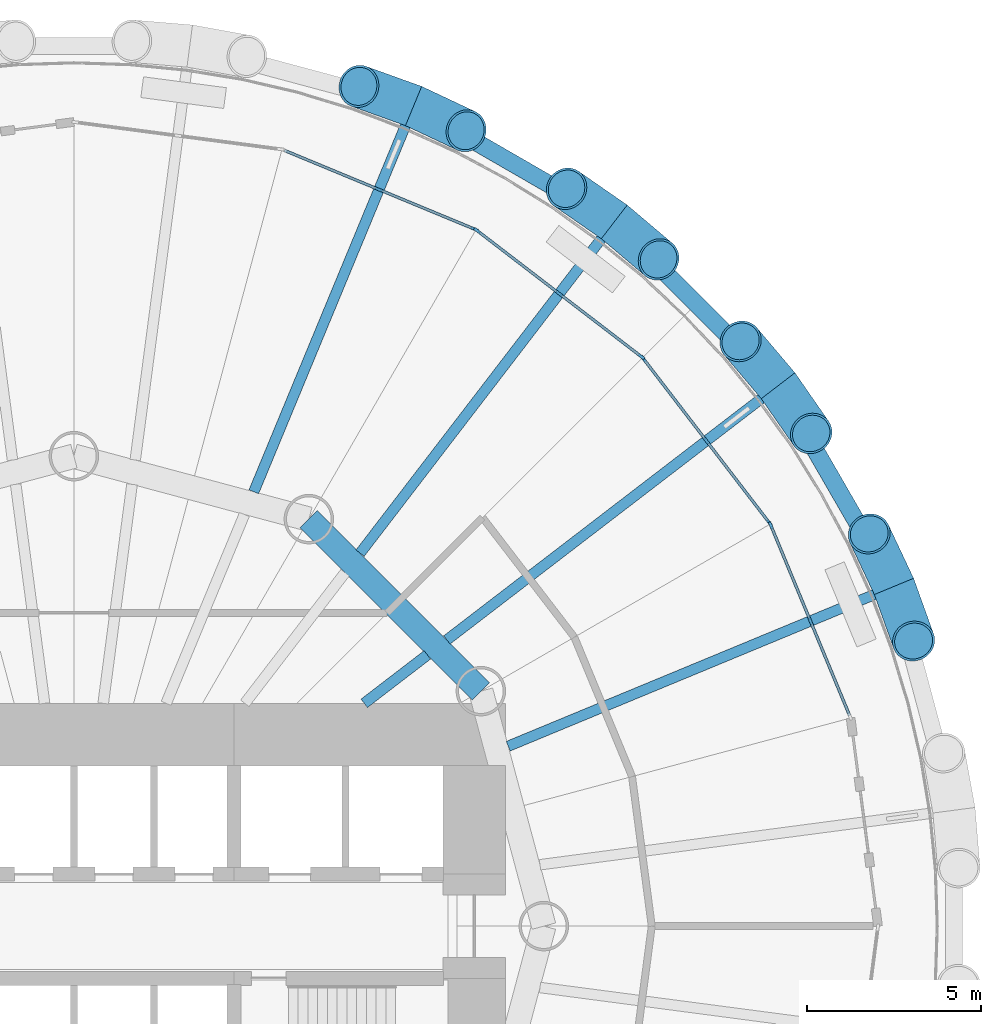
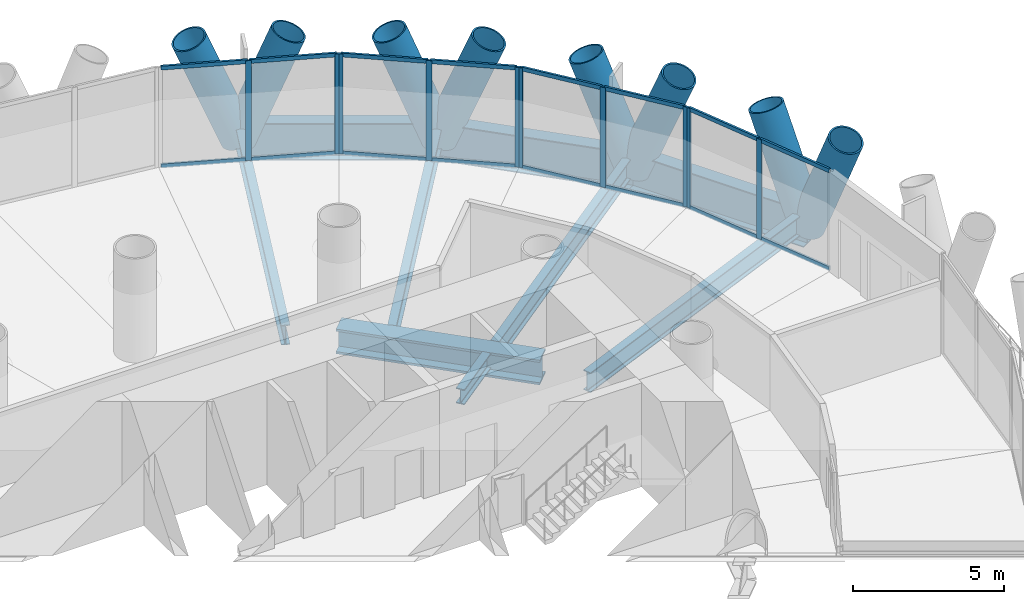
# One storey, part 6 of 14: 34 members, 9 beams, 4 elements without a shape of their own.
"""IFC4 building model written with IfcOpenShell, lengths in metres."""

from ifc_helpers import new_model, si_unit, direction, frame, origin, origin_2d, place, context, subcontext, project, spatial, rectangle, hollow_circle, i_section, extrude, material, material_profile, profile_set, type_object, element, aggregate, save


model = new_model("IFC4")

# Units and contexts
model_context = context("Model", 3, precision=1e-05, world=origin(), true_north=direction((0.0, 1.0)))
body_context = subcontext(model_context, "Body", "Model", "MODEL_VIEW")
ifc_project = project(units=[si_unit("LENGTHUNIT", "METRE"), si_unit("AREAUNIT", "SQUARE_METRE"), si_unit("VOLUMEUNIT", "CUBIC_METRE"), si_unit("PLANEANGLEUNIT", "RADIAN"), si_unit("MASSUNIT", "GRAM", prefix="KILO")], contexts=[model_context])

# Site, building, storey
site_placement = place(None, origin())
site = spatial("IfcSite", under=ifc_project, at=site_placement, CompositionType="ELEMENT")
building_placement = place(site_placement, origin())
building = spatial("IfcBuilding", under=site, at=building_placement, Name="Qaws Media Tower", CompositionType="ELEMENT")
storey_placement = place(building_placement, frame((0.0, 0.0, 84.800048828125)))
storey = spatial("IfcBuildingStorey", under=building, at=storey_placement, Name="L18", CompositionType="ELEMENT", Elevation=84.800048828125)

# Curtain wall, members
ifc_material_1 = material(Name="Aluminium and clear glass", Category="aluminium")
curtain_wall_type = type_object("IfcCurtainWallType", Name="Unitised curtain wall CW-A", PredefinedType="NOTDEFINED", material=ifc_material_1)
curtain_wall_1_placement = place(storey_placement, origin())
curtain_wall_1 = element("IfcCurtainWall", 1, at=curtain_wall_1_placement, inside=storey, type_object=curtain_wall_type, Name="CWA curtain wall L18-02", PredefinedType="NOTDEFINED")
ifc_material_2 = material(Name="Aluminium mullion", Category="aluminium")
ifc_material_profile_1 = material_profile(ifc_material_2, rectangle(XDim=0.080078125, YDim=0.199951171875, at=origin_2d()), Name="80x200")
ifc_profile_set_1 = profile_set([ifc_material_profile_1], Name="Aluminium mullion")
member_type_1 = type_object("IfcMemberType", Name="Curtain wall mullion 80x200", PredefinedType="MULLION", material=ifc_profile_set_1)
member_1_placement = place(storey_placement, frame((81.158935546875, 58.764404296875, 0.0), z_axis=(0.0, 0.0, 1.0), x_axis=(-0.923879517022, -0.382683469758, 0.0)))
member_1 = element("IfcMember", 2, at=member_1_placement, type_object=member_type_1, Name="CWA mullion 2", PredefinedType="MULLION", context=body_context, shape_type="SweptSolid", body=[
    extrude(rectangle(XDim=0.080078125, YDim=0.199951171875, at=origin_2d()), origin(), (0.0, 0.0, 1.0), 4.0400390625),
])
member_2_placement = place(storey_placement, frame((80.0205078125, 61.512939453125, 0.0), z_axis=(0.0, 0.0, 1.0), x_axis=(-0.923879517022, -0.382683469758, 0.0)))
member_2 = element("IfcMember", 3, at=member_2_placement, type_object=member_type_1, Name="CWA mullion 3", PredefinedType="MULLION", context=body_context, shape_type="SweptSolid", body=[
    extrude(rectangle(XDim=0.080078125, YDim=0.199951171875, at=origin_2d()), origin(), (0.0, 0.0, 1.0), 4.0400390625),
])

curtain_wall_2_placement = place(storey_placement, origin())
curtain_wall_2 = element("IfcCurtainWall", 4, at=curtain_wall_2_placement, inside=storey, type_object=curtain_wall_type, Name="CWA curtain wall L18-03", PredefinedType="NOTDEFINED")
member_3_placement = place(storey_placement, frame((79.98095703125, 61.581787109375, 0.0), z_axis=(0.0, 0.0, 1.0), x_axis=(-0.79335337666, -0.608761381612, 0.0)))
member_3 = element("IfcMember", 5, at=member_3_placement, type_object=member_type_1, Name="CWA mullion 1", PredefinedType="MULLION", context=body_context, shape_type="SweptSolid", body=[
    extrude(rectangle(XDim=0.080078125, YDim=0.199951171875, at=origin_2d()), origin(), (0.0, 0.0, 1.0), 4.0400390625),
])
member_4_placement = place(storey_placement, frame((78.169677734375, 63.942138671875, 0.0), z_axis=(0.0, 0.0, 1.0), x_axis=(-0.79335337666, -0.608761381612, 0.0)))
member_4 = element("IfcMember", 6, at=member_4_placement, type_object=member_type_1, Name="CWA mullion 2", PredefinedType="MULLION", context=body_context, shape_type="SweptSolid", body=[
    extrude(rectangle(XDim=0.080078125, YDim=0.199951171875, at=origin_2d()), origin(), (0.0, 0.0, 1.0), 4.0400390625),
])
member_5_placement = place(storey_placement, frame((76.3583984375, 66.302490234375, 0.0), z_axis=(0.0, 0.0, 1.0), x_axis=(-0.79335337666, -0.608761381612, 0.0)))
member_5 = element("IfcMember", 7, at=member_5_placement, type_object=member_type_1, Name="CWA mullion 3", PredefinedType="MULLION", context=body_context, shape_type="SweptSolid", body=[
    extrude(rectangle(XDim=0.080078125, YDim=0.199951171875, at=origin_2d()), origin(), (0.0, 0.0, 1.0), 4.0400390625),
])

curtain_wall_3_placement = place(storey_placement, origin())
curtain_wall_3 = element("IfcCurtainWall", 8, at=curtain_wall_3_placement, inside=storey, type_object=curtain_wall_type, Name="CWA curtain wall L18-04", PredefinedType="NOTDEFINED")
member_6_placement = place(storey_placement, frame((76.302490234375, 66.3583984375, 0.0), z_axis=(0.0, 0.0, 1.0), x_axis=(-0.608761381612, -0.79335337666, 0.0)))
member_6 = element("IfcMember", 9, at=member_6_placement, type_object=member_type_1, Name="CWA mullion 1", PredefinedType="MULLION", context=body_context, shape_type="SweptSolid", body=[
    extrude(rectangle(XDim=0.080078125, YDim=0.199951171875, at=origin_2d()), origin(), (0.0, 0.0, 1.0), 4.0400390625),
])
member_7_placement = place(storey_placement, frame((73.942138671875, 68.169677734375, 0.0), z_axis=(0.0, 0.0, 1.0), x_axis=(-0.608761381612, -0.79335337666, 0.0)))
member_7 = element("IfcMember", 10, at=member_7_placement, type_object=member_type_1, Name="CWA mullion 2", PredefinedType="MULLION", context=body_context, shape_type="SweptSolid", body=[
    extrude(rectangle(XDim=0.080078125, YDim=0.199951171875, at=origin_2d()), origin(), (0.0, 0.0, 1.0), 4.0400390625),
])
member_8_placement = place(storey_placement, frame((71.581787109375, 69.98095703125, 0.0), z_axis=(0.0, 0.0, 1.0), x_axis=(-0.608761381612, -0.79335337666, 0.0)))
member_8 = element("IfcMember", 11, at=member_8_placement, type_object=member_type_1, Name="CWA mullion 3", PredefinedType="MULLION", context=body_context, shape_type="SweptSolid", body=[
    extrude(rectangle(XDim=0.080078125, YDim=0.199951171875, at=origin_2d()), origin(), (0.0, 0.0, 1.0), 4.0400390625),
])

curtain_wall_4_placement = place(storey_placement, origin())
curtain_wall_4 = element("IfcCurtainWall", 12, at=curtain_wall_4_placement, inside=storey, type_object=curtain_wall_type, Name="CWA curtain wall L18-05", PredefinedType="NOTDEFINED")
member_9_placement = place(storey_placement, frame((71.512939453125, 70.0205078125, 0.0), z_axis=(0.0, 0.0, 1.0), x_axis=(-0.382683469758, -0.923879517022, 0.0)))
member_9 = element("IfcMember", 13, at=member_9_placement, type_object=member_type_1, Name="CWA mullion 1", PredefinedType="MULLION", context=body_context, shape_type="SweptSolid", body=[
    extrude(rectangle(XDim=0.080078125, YDim=0.199951171875, at=origin_2d()), origin(), (0.0, 0.0, 1.0), 4.0400390625),
])
member_10_placement = place(storey_placement, frame((68.764404296875, 71.158935546875, 0.0), z_axis=(0.0, 0.0, 1.0), x_axis=(-0.382683469758, -0.923879517022, 0.0)))
member_10 = element("IfcMember", 14, at=member_10_placement, type_object=member_type_1, Name="CWA mullion 2", PredefinedType="MULLION", context=body_context, shape_type="SweptSolid", body=[
    extrude(rectangle(XDim=0.080078125, YDim=0.199951171875, at=origin_2d()), origin(), (0.0, 0.0, 1.0), 4.0400390625),
])

# Member
ifc_material_3 = material(Name="Aluminium transom", Category="aluminium")
ifc_material_profile_2 = material_profile(ifc_material_3, rectangle(XDim=0.080078125, YDim=0.159912109375, at=origin_2d()), Name="80x160")
ifc_profile_set_2 = profile_set([ifc_material_profile_2], Name="Aluminium transom")
member_type_2 = type_object("IfcMemberType", Name="Curtain wall transom 80x160", PredefinedType="USERDEFINED", material=ifc_profile_set_2)
member_11_placement = place(storey_placement, frame((82.2822265625, 56.052734375, 0.0400390625), z_axis=(-0.382704337855, 0.923870872897, 0.0), x_axis=(-0.923870872897, -0.382704337855, 0.0)))
member_11 = element("IfcMember", 15, at=member_11_placement, type_object=member_type_2, Name="CWA transom 1.1", ObjectType="TRANSOM", PredefinedType="USERDEFINED", context=body_context, shape_type="SweptSolid", body=[
    extrude(rectangle(XDim=0.080078125, YDim=0.159912109375, at=origin_2d()), origin(), (0.0, 0.0, 1.0), 2.89501953125),
])

member_12_placement = place(storey_placement, frame((82.2822265625, 56.052734375, 4.0), z_axis=(-0.382704337855, 0.923870872897, 0.0), x_axis=(-0.923870872897, -0.382704337855, 0.0)))
member_12 = element("IfcMember", 16, at=member_12_placement, type_object=member_type_2, Name="CWA transom 1.2", ObjectType="TRANSOM", PredefinedType="USERDEFINED", context=body_context, shape_type="SweptSolid", body=[
    extrude(rectangle(XDim=0.080078125, YDim=0.159912109375, at=origin_2d()), origin(), (0.0, 0.0, 1.0), 2.89501953125),
])

member_13_placement = place(storey_placement, frame((81.143798828125, 58.80126953125, 0.0400390625), z_axis=(-0.382674522319, 0.923883223123, 0.0), x_axis=(-0.923883223123, -0.382674522319, 0.0)))
member_13 = element("IfcMember", 17, at=member_13_placement, type_object=member_type_2, Name="CWA transom 2.1", ObjectType="TRANSOM", PredefinedType="USERDEFINED", context=body_context, shape_type="SweptSolid", body=[
    extrude(rectangle(XDim=0.080078125, YDim=0.159912109375, at=origin_2d()), origin(), (0.0, 0.0, 1.0), 2.895263671875),
])

member_14_placement = place(storey_placement, frame((81.143798828125, 58.80126953125, 4.0), z_axis=(-0.382674522319, 0.923883223123, 0.0), x_axis=(-0.923883223123, -0.382674522319, 0.0)))
member_14 = element("IfcMember", 18, at=member_14_placement, type_object=member_type_2, Name="CWA transom 2.2", ObjectType="TRANSOM", PredefinedType="USERDEFINED", context=body_context, shape_type="SweptSolid", body=[
    extrude(rectangle(XDim=0.080078125, YDim=0.159912109375, at=origin_2d()), origin(), (0.0, 0.0, 1.0), 2.895263671875),
])

aggregate(curtain_wall_1, [member_1, member_2, member_11, member_12, member_13, member_14])

member_15_placement = place(storey_placement, frame((79.95654296875, 61.613525390625, 0.0400390625), z_axis=(-0.608760776012, 0.793353841353, 0.0), x_axis=(-0.793353841353, -0.608760776012, 0.0)))
member_15 = element("IfcMember", 19, at=member_15_placement, type_object=member_type_2, Name="CWA transom 1.1", ObjectType="TRANSOM", PredefinedType="USERDEFINED", context=body_context, shape_type="SweptSolid", body=[
    extrude(rectangle(XDim=0.080078125, YDim=0.159912109375, at=origin_2d()), origin(), (0.0, 0.0, 1.0), 2.895263671875),
])

member_16_placement = place(storey_placement, frame((79.95654296875, 61.613525390625, 4.0), z_axis=(-0.608760776012, 0.793353841353, 0.0), x_axis=(-0.793353841353, -0.608760776012, 0.0)))
member_16 = element("IfcMember", 20, at=member_16_placement, type_object=member_type_2, Name="CWA transom 1.2", ObjectType="TRANSOM", PredefinedType="USERDEFINED", context=body_context, shape_type="SweptSolid", body=[
    extrude(rectangle(XDim=0.080078125, YDim=0.159912109375, at=origin_2d()), origin(), (0.0, 0.0, 1.0), 2.895263671875),
])

member_17_placement = place(storey_placement, frame((78.145263671875, 63.973876953125, 0.0400390625), z_axis=(-0.608760776012, 0.793353841353, 0.0), x_axis=(-0.793353841353, -0.608760776012, 0.0)))
member_17 = element("IfcMember", 21, at=member_17_placement, type_object=member_type_2, Name="CWA transom 2.1", ObjectType="TRANSOM", PredefinedType="USERDEFINED", context=body_context, shape_type="SweptSolid", body=[
    extrude(rectangle(XDim=0.080078125, YDim=0.159912109375, at=origin_2d()), origin(), (0.0, 0.0, 1.0), 2.895263671875),
])

member_18_placement = place(storey_placement, frame((78.145263671875, 63.973876953125, 4.0), z_axis=(-0.608760776012, 0.793353841353, 0.0), x_axis=(-0.793353841353, -0.608760776012, 0.0)))
member_18 = element("IfcMember", 22, at=member_18_placement, type_object=member_type_2, Name="CWA transom 2.2", ObjectType="TRANSOM", PredefinedType="USERDEFINED", context=body_context, shape_type="SweptSolid", body=[
    extrude(rectangle(XDim=0.080078125, YDim=0.159912109375, at=origin_2d()), origin(), (0.0, 0.0, 1.0), 2.895263671875),
])

aggregate(curtain_wall_2, [member_3, member_4, member_5, member_15, member_16, member_17, member_18])

member_19_placement = place(storey_placement, frame((76.270751953125, 66.3828125, 0.0400390625), z_axis=(-0.793353841353, 0.608760776012, 0.0), x_axis=(-0.608760776012, -0.793353841353, 0.0)))
member_19 = element("IfcMember", 23, at=member_19_placement, type_object=member_type_2, Name="CWA transom 1.1", ObjectType="TRANSOM", PredefinedType="USERDEFINED", context=body_context, shape_type="SweptSolid", body=[
    extrude(rectangle(XDim=0.080078125, YDim=0.159912109375, at=origin_2d()), origin(), (0.0, 0.0, 1.0), 2.895263671875),
])

member_20_placement = place(storey_placement, frame((76.270751953125, 66.3828125, 4.0), z_axis=(-0.793353841353, 0.608760776012, 0.0), x_axis=(-0.608760776012, -0.793353841353, 0.0)))
member_20 = element("IfcMember", 24, at=member_20_placement, type_object=member_type_2, Name="CWA transom 1.2", ObjectType="TRANSOM", PredefinedType="USERDEFINED", context=body_context, shape_type="SweptSolid", body=[
    extrude(rectangle(XDim=0.080078125, YDim=0.159912109375, at=origin_2d()), origin(), (0.0, 0.0, 1.0), 2.895263671875),
])

member_21_placement = place(storey_placement, frame((73.910400390625, 68.194091796875, 0.0400390625), z_axis=(-0.793353841353, 0.608760776012, 0.0), x_axis=(-0.608760776012, -0.793353841353, 0.0)))
member_21 = element("IfcMember", 25, at=member_21_placement, type_object=member_type_2, Name="CWA transom 2.1", ObjectType="TRANSOM", PredefinedType="USERDEFINED", context=body_context, shape_type="SweptSolid", body=[
    extrude(rectangle(XDim=0.080078125, YDim=0.159912109375, at=origin_2d()), origin(), (0.0, 0.0, 1.0), 2.895263671875),
])

member_22_placement = place(storey_placement, frame((73.910400390625, 68.194091796875, 4.0), z_axis=(-0.793353841353, 0.608760776012, 0.0), x_axis=(-0.608760776012, -0.793353841353, 0.0)))
member_22 = element("IfcMember", 26, at=member_22_placement, type_object=member_type_2, Name="CWA transom 2.2", ObjectType="TRANSOM", PredefinedType="USERDEFINED", context=body_context, shape_type="SweptSolid", body=[
    extrude(rectangle(XDim=0.080078125, YDim=0.159912109375, at=origin_2d()), origin(), (0.0, 0.0, 1.0), 2.895263671875),
])

aggregate(curtain_wall_3, [member_6, member_7, member_8, member_19, member_20, member_21, member_22])

member_23_placement = place(storey_placement, frame((71.47607421875, 70.035888671875, 0.0400390625), z_axis=(-0.923883223123, 0.382674522319, 0.0), x_axis=(-0.382674522319, -0.923883223123, 0.0)))
member_23 = element("IfcMember", 27, at=member_23_placement, type_object=member_type_2, Name="CWA transom 1.1", ObjectType="TRANSOM", PredefinedType="USERDEFINED", context=body_context, shape_type="SweptSolid", body=[
    extrude(rectangle(XDim=0.080078125, YDim=0.159912109375, at=origin_2d()), origin(), (0.0, 0.0, 1.0), 2.895263671875),
])

member_24_placement = place(storey_placement, frame((71.47607421875, 70.035888671875, 4.0), z_axis=(-0.923883223123, 0.382674522319, 0.0), x_axis=(-0.382674522319, -0.923883223123, 0.0)))
member_24 = element("IfcMember", 28, at=member_24_placement, type_object=member_type_2, Name="CWA transom 1.2", ObjectType="TRANSOM", PredefinedType="USERDEFINED", context=body_context, shape_type="SweptSolid", body=[
    extrude(rectangle(XDim=0.080078125, YDim=0.159912109375, at=origin_2d()), origin(), (0.0, 0.0, 1.0), 2.895263671875),
])

member_25_placement = place(storey_placement, frame((68.727294921875, 71.17431640625, 0.0400390625), z_axis=(-0.923870872897, 0.382704337855, 0.0), x_axis=(-0.382704337855, -0.923870872897, 0.0)))
member_25 = element("IfcMember", 29, at=member_25_placement, type_object=member_type_2, Name="CWA transom 2.1", ObjectType="TRANSOM", PredefinedType="USERDEFINED", context=body_context, shape_type="SweptSolid", body=[
    extrude(rectangle(XDim=0.080078125, YDim=0.159912109375, at=origin_2d()), origin(), (0.0, 0.0, 1.0), 2.89501953125),
])

member_26_placement = place(storey_placement, frame((68.727294921875, 71.17431640625, 4.0), z_axis=(-0.923870872897, 0.382704337855, 0.0), x_axis=(-0.382704337855, -0.923870872897, 0.0)))
member_26 = element("IfcMember", 30, at=member_26_placement, type_object=member_type_2, Name="CWA transom 2.2", ObjectType="TRANSOM", PredefinedType="USERDEFINED", context=body_context, shape_type="SweptSolid", body=[
    extrude(rectangle(XDim=0.080078125, YDim=0.159912109375, at=origin_2d()), origin(), (0.0, 0.0, 1.0), 2.89501953125),
])

aggregate(curtain_wall_4, [member_9, member_10, member_23, member_24, member_25, member_26])

# Members
ifc_material_4 = material(Name="Steel S460", Category="steel")
ifc_material_profile_3 = material_profile(ifc_material_4, hollow_circle(Radius=0.609619140625, WallThickness=0.06005859375, at=origin_2d()), Name="CHS 1219x60")
ifc_profile_set_3 = profile_set([ifc_material_profile_3], Name="Steel S460")
member_type_3 = type_object("IfcMemberType", Name="Diagrid member CHS 1219x60", PredefinedType="USERDEFINED", material=ifc_profile_set_3)
for number, where, z_axis, x_axis, name in (
    (31, (83.558837890625, 59.758544921875, -0.91015625), (-0.157313558342, 0.333859131371, 0.929403316522), (-0.904606281715, -0.426248137921, 0.0), "DG1 diagrid L18 A02"),
    (32, (83.558837890625, 59.758544921875, -0.91015625), (0.124843572797, -0.34735792864, 0.929385039552), (0.94106452636, 0.338227079381, 0.0), "DG1 diagrid L18 B02"),
    (33, (80.23046875, 65.5234375, -0.91015625), (-0.238398191578, 0.281777694827, 0.929391001113), (-0.763425145671, -0.645896312854, 0.0), "DG1 diagrid L18 A03"),
    (34, (80.23046875, 65.5234375, -0.91015625), (0.210467890476, -0.303222861715, 0.929386444495), (0.821501367962, 0.570206543663, 0.0), "DG1 diagrid L18 B03"),
    (35, (75.5234375, 70.23046875, -0.91015625), (-0.303222861715, 0.210467890476, 0.929386444495), (-0.570206543663, -0.821501367962, 0.0), "DG1 diagrid L18 A04"),
    (36, (75.5234375, 70.23046875, -0.91015625), (0.281777694827, -0.238398191578, 0.929391001113), (0.645896312854, 0.763425145671, 0.0), "DG1 diagrid L18 B04"),
    (37, (69.758544921875, 73.558837890625, -0.91015625), (-0.34735792864, 0.124843572797, 0.929385039552), (-0.338227079381, -0.94106452636, 0.0), "DG1 diagrid L18 A05"),
    (38, (69.758544921875, 73.558837890625, -0.91015625), (0.333859131371, -0.157313558342, 0.929403316522), (0.426248137921, 0.904606281715, 0.0), "DG1 diagrid L18 B05"),
):
    element("IfcMember", number, at=place(storey_placement, frame(where, z_axis=z_axis, x_axis=x_axis)), inside=storey, type_object=member_type_3, Name=name, ObjectType="DIAGRID", PredefinedType="USERDEFINED", context=body_context, shape_type="SweptSolid", body=[
        extrude(hollow_circle(Radius=0.609619140625, WallThickness=0.06005859375, at=origin_2d()), origin(), (0.0, 0.0, 1.0), 4.519287109375),
    ])

# Beams
ifc_material_5 = material(Name="Steel S460", Category="steel")
ifc_material_profile_4 = material_profile(ifc_material_5, i_section(OverallWidth=0.5, OverallDepth=1.5, WebThickness=0.02001953125, FlangeThickness=0.0400390625, at=origin_2d()), Name="PG 1500x500")
ifc_profile_set_4 = profile_set([ifc_material_profile_4], Name="Steel S460")
beam_type_1 = type_object("IfcBeamType", Name="Edge ring beam PG 1500x500", PredefinedType="BEAM", material=ifc_profile_set_4)
for number, where, z_axis, x_axis, name in (
    (39, (83.558837890625, 59.758544921875, -0.91015625), (-0.500000772766, 0.866024957627, 0.0), (-0.866024957627, -0.500000772766, 0.0), "RB4 edge ring beam L18-02"),
    (40, (80.23046875, 65.5234375, -0.91015625), (-0.707106781187, 0.707106781187, 0.0), (-0.707106781187, -0.707106781187, 0.0), "RB4 edge ring beam L18-03"),
    (41, (75.5234375, 70.23046875, -0.91015625), (-0.866024957627, 0.500000772766, 0.0), (-0.500000772766, -0.866024957627, 0.0), "RB4 edge ring beam L18-04"),
):
    element("IfcBeam", number, at=place(storey_placement, frame(where, z_axis=z_axis, x_axis=x_axis)), inside=storey, type_object=beam_type_1, Name=name, PredefinedType="BEAM", context=body_context, shape_type="SweptSolid", body=[
        extrude(i_section(OverallWidth=0.5, OverallDepth=1.5, WebThickness=0.02001953125, FlangeThickness=0.0400390625, at=origin_2d()), origin(), (0.0, 0.0, 1.0), 6.65673828125),
    ])
ifc_material_6 = material(Name="Steel S460", Category="steel")
ifc_material_profile_5 = material_profile(ifc_material_6, i_section(OverallWidth=0.699951171875, OverallDepth=1.0, WebThickness=0.034912109375, FlangeThickness=0.090087890625, at=origin_2d()), Name="PG 1000x700")
ifc_profile_set_5 = profile_set([ifc_material_profile_5], Name="Steel S460")
beam_type_2 = type_object("IfcBeamType", Name="Inner ring girder PG 1000x700", PredefinedType="BEAM", material=ifc_profile_set_5)
beam_1_placement = place(storey_placement, frame((71.69140625, 56.75, -0.66015625), z_axis=(-0.707106781187, 0.707106781187, 0.0), x_axis=(-0.707106781187, -0.707106781187, 0.0)))
element("IfcBeam", 42, at=beam_1_placement, inside=storey, type_object=beam_type_2, Name="B3 inner ring beam L18 I02-I03", PredefinedType="BEAM", context=body_context, shape_type="SweptSolid", body=[
    extrude(i_section(OverallWidth=0.699951171875, OverallDepth=1.0, WebThickness=0.034912109375, FlangeThickness=0.090087890625, at=origin_2d()), origin(), (0.0, 0.0, 1.0), 6.98828125),
])
ifc_material_7 = material(Name="Steel S355", Category="steel")
ifc_material_profile_6 = material_profile(ifc_material_7, i_section(OverallWidth=0.304931640625, OverallDepth=0.6201171875, WebThickness=0.02099609375, FlangeThickness=0.0400390625, FilletRadius=0.027099609375, at=origin_2d()), Name="HE 600 M")
ifc_profile_set_6 = profile_set([ifc_material_profile_6], Name="Steel S355")
beam_type_3 = type_object("IfcBeamType", Name="Radial beam HE 600 M, core side", PredefinedType="BEAM", material=ifc_profile_set_6)
beam_2_placement = place(storey_placement, frame((68.340576171875, 56.39990234375, -0.469970703125), z_axis=(0.793365692245, 0.608745331291, 0.0), x_axis=(-0.608745331291, 0.793365692245, 0.0)))
element("IfcBeam", 43, at=beam_2_placement, inside=storey, type_object=beam_type_3, Name="B2 radial beam L18 03", PredefinedType="BEAM", context=body_context, shape_type="SweptSolid", body=[
    extrude(i_section(OverallWidth=0.304931640625, OverallDepth=0.6201171875, WebThickness=0.02099609375, FlangeThickness=0.0400390625, FilletRadius=0.027099609375, at=origin_2d()), origin(), (0.0, 0.0, 1.0), 2.286376953125),
])
ifc_material_8 = material(Name="Steel S355", Category="steel")
ifc_material_profile_7 = material_profile(ifc_material_8, i_section(OverallWidth=0.300048828125, OverallDepth=0.800048828125, WebThickness=0.017578125, FlangeThickness=0.032958984375, FilletRadius=0.030029296875, at=origin_2d()), Name="HE 800 B")
ifc_profile_set_7 = profile_set([ifc_material_profile_7], Name="Steel S355")
beam_type_4 = type_object("IfcBeamType", Name="Radial beam HE 800 B", PredefinedType="BEAM", material=ifc_profile_set_7)
for number, where, z_axis, x_axis, name in (
    (44, (72.4775390625, 55.16845703125, -0.56005859375), (0.923877656977, 0.382687960273, 0.0), (-0.382687960273, 0.923877656977, 0.0), "B1 radial beam L18 02"),
    (45, (70.714599609375, 58.2216796875, -0.56005859375), (0.793354362758, 0.608760096502, 0.0), (-0.608760096502, 0.793354362758, 0.0), "B1 radial beam L18 03"),
    (46, (68.2216796875, 60.714599609375, -0.56005859375), (0.608760096502, 0.793354362758, 0.0), (-0.793354362758, 0.608760096502, 0.0), "B1 radial beam L18 04"),
    (47, (65.16845703125, 62.4775390625, -0.56005859375), (0.382687960273, 0.923877656977, 0.0), (-0.923877656977, 0.382687960273, 0.0), "B1 radial beam L18 05"),
):
    element("IfcBeam", number, at=place(storey_placement, frame(where, z_axis=z_axis, x_axis=x_axis)), inside=storey, type_object=beam_type_4, Name=name, PredefinedType="BEAM", context=body_context, shape_type="SweptSolid", body=[
        extrude(i_section(OverallWidth=0.300048828125, OverallDepth=0.800048828125, WebThickness=0.017578125, FlangeThickness=0.032958984375, FilletRadius=0.030029296875, at=origin_2d()), origin(), (0.0, 0.0, 1.0), 11.994384765625),
    ])

save(model, "model.ifc")
